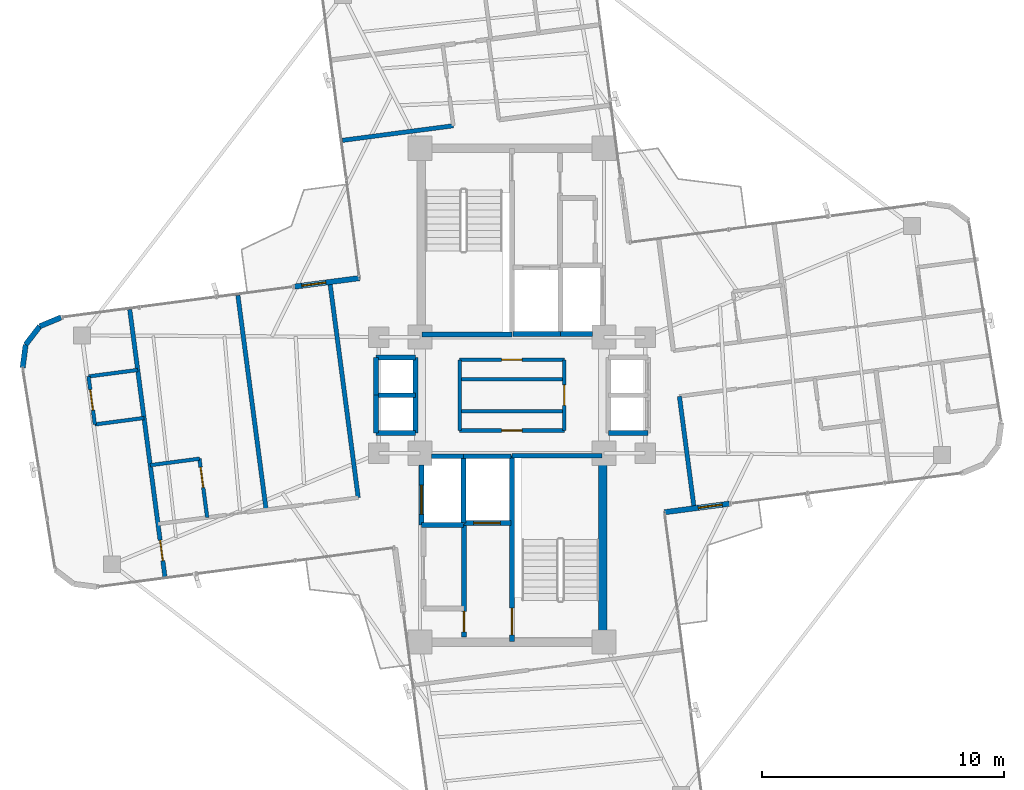
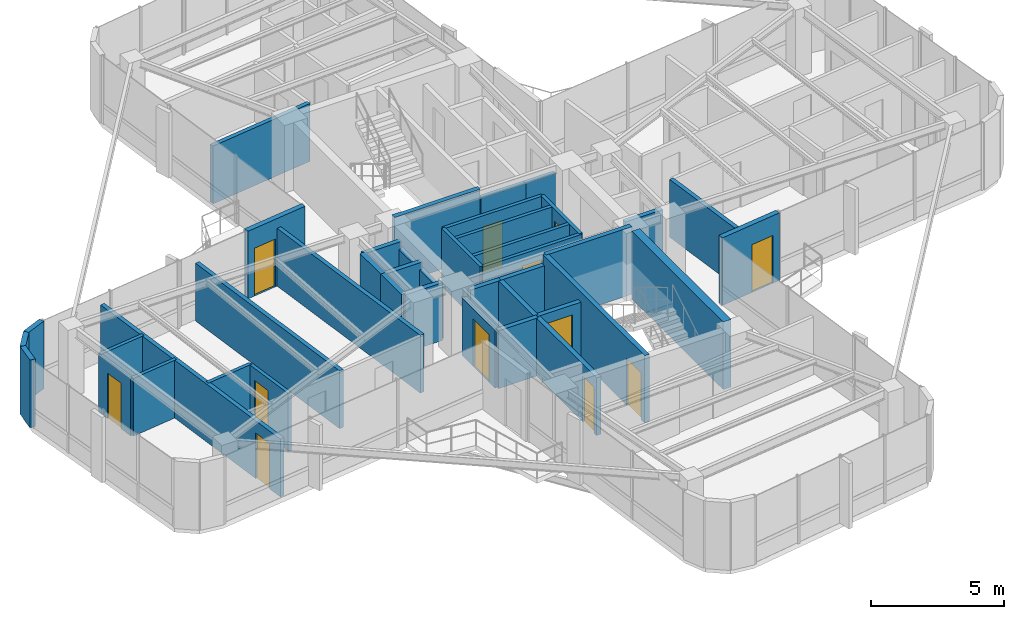
# One storey, part 19 of 22: 41 walls, 12 doors, 12 openings.
"""IFC4 building model written with IfcOpenShell, lengths in metres."""

from ifc_helpers import new_model, si_unit, direction, frame, frame_2d, origin, origin_2d, place, context, subcontext, project, spatial, rectangle, extrude, source, transform, mapped, material, layer, layer_set, type_object, element, fill, save


model = new_model("IFC4")

# Units and contexts
model_context = context("Model", 3, precision=1e-05, world=origin(), true_north=direction((0.0, 1.0)))
body_context = subcontext(model_context, "Body", "Model", "MODEL_VIEW")
ifc_project = project(units=[si_unit("LENGTHUNIT", "METRE"), si_unit("AREAUNIT", "SQUARE_METRE"), si_unit("VOLUMEUNIT", "CUBIC_METRE"), si_unit("PLANEANGLEUNIT", "RADIAN"), si_unit("MASSUNIT", "GRAM", prefix="KILO")], contexts=[model_context])

# Site, building, storey
site_placement = place(None, origin())
site = spatial("IfcSite", under=ifc_project, at=site_placement, CompositionType="ELEMENT")
building_placement = place(site_placement, origin())
building = spatial("IfcBuilding", under=site, at=building_placement, Name="Sahyath Konkavel Grand Hotel", CompositionType="ELEMENT")
storey_placement = place(building_placement, frame((0.0, 0.0, 244.5)))
storey = spatial("IfcBuildingStorey", under=building, at=storey_placement, Name="L68", CompositionType="ELEMENT", Elevation=244.5)

# Wall
ifc_material_1 = material(Name="Concrete C40/50", Category="concrete")
ifc_layer_1 = layer(ifc_material_1, 0.35009765625)
ifc_layer_set_1 = layer_set([ifc_layer_1], Name="Concrete C40/50")
wall_type_1 = type_object("IfcWallType", Name="CWALL-350", PredefinedType="SHEAR", material=ifc_layer_set_1)
wall_1_placement = place(storey_placement, frame((3.739990234375, -9.75, 0.0), z_axis=(0.0, 0.0, 1.0), x_axis=(0.0, 1.0, 0.0)))
element("IfcWall", 1, at=wall_1_placement, inside=storey, type_object=wall_type_1, Name="L68 South Core Shear Wall E", PredefinedType="SHEAR", context=body_context, shape_type="SweptSolid", body=[
    extrude(rectangle(XDim=6.89990234375, YDim=0.35009765625, at=frame_2d((3.449951171875, 0.0))), origin(), (0.0, 0.0, 1.0), 3.110107421875),
])

# Wall, opening, door
ifc_material_2 = material(Name="Warm Buff Sandstone Insulated Concrete C40/50", Category="masonry")
ifc_layer_2 = layer(ifc_material_2, 0.219970703125)
ifc_layer_set_2 = layer_set([ifc_layer_2], Name="Warm Buff Sandstone Insulated Concrete C40/50")
wall_type_2 = type_object("IfcWallType", Name="WLL-BALC-THRESH", PredefinedType="STANDARD", material=ifc_layer_set_2)
wall_2_placement = place(storey_placement, frame((6.302001953125, -4.835693359375, 0.0), z_axis=(0.0, 0.0, 1.0), x_axis=(0.991451525486, 0.130475563272, 0.0)))
wall_2 = element("IfcWall", 2, at=wall_2_placement, inside=storey, type_object=wall_type_2, Name="L68 Winter-Garden Threshold Wall 0", PredefinedType="STANDARD", context=body_context, shape_type="SweptSolid", body=[
    extrude(rectangle(XDim=2.7001953125, YDim=0.219970703125, at=frame_2d((1.35009765625, 0.0))), origin(), (0.0, 0.0, 1.0), 3.110107421875),
])
opening_1_placement = place(wall_2_placement, frame((1.39990234375, 0.0, 0.0)))
opening_1 = element("IfcOpeningElement", 3, at=opening_1_placement, cuts=wall_2, Name="Opening D-TR1", PredefinedType="OPENING", context=body_context, shape_type="SweptSolid", body=[
    extrude(rectangle(XDim=1.0, YDim=2.199951171875, at=frame_2d((0.5, 1.10009765625))), frame((0.0, 0.1201171875, 0.0), z_axis=(0.0, -1.0, 0.0), x_axis=(1.0, 0.0, 0.0)), (0.0, 0.0, 1.0), 0.239990234375),
])
ifc_material_3 = material(Name="Anodised Bronze Aluminium & Low-E Glazing", Category="aluminium")
door_type_1 = type_object("IfcDoorType", Name="DR-TERRACE-1000", OperationType="NOTDEFINED", PredefinedType="DOOR", material=ifc_material_3)
shared_shape_1 = source(origin(), body_context, "Body", "SweptSolid", [
    extrude(rectangle(XDim=1.0, YDim=0.050048828125, at=origin_2d()), origin(), (0.0, 0.0, 1.0), 2.199951171875),
])
door_1_placement = place(opening_1_placement, frame((0.5, 0.0, 0.0)))
door_1 = element("IfcDoor", 4, at=door_1_placement, inside=storey, type_object=door_type_1, Name="L68 Winter-Garden Terrace Door 0", OperationType="SINGLE_SWING_LEFT", OverallHeight=2.199951171875, OverallWidth=1.0, PredefinedType="DOOR", context=body_context, shape_type="MappedRepresentation", body=[
    mapped(shared_shape_1, transform((0.0, 0.0, 0.0), scale=1.0)),
])
fill(opening_1, door_1)

wall_3_placement = place(storey_placement, frame((-6.302001953125, 4.835693359375, 0.0), z_axis=(0.0, 0.0, 1.0), x_axis=(-0.991451525486, -0.130475563272, 0.0)))
wall_3 = element("IfcWall", 5, at=wall_3_placement, inside=storey, type_object=wall_type_2, Name="L68 Winter-Garden Threshold Wall 16", PredefinedType="STANDARD", context=body_context, shape_type="SweptSolid", body=[
    extrude(rectangle(XDim=2.7001953125, YDim=0.219970703125, at=frame_2d((1.35009765625, 0.0))), origin(), (0.0, 0.0, 1.0), 3.110107421875),
])
opening_2_placement = place(wall_3_placement, frame((1.39990234375, 0.0, 0.0)))
opening_2 = element("IfcOpeningElement", 6, at=opening_2_placement, cuts=wall_3, Name="Opening D-TR1", PredefinedType="OPENING", context=body_context, shape_type="SweptSolid", body=[
    extrude(rectangle(XDim=1.0, YDim=2.199951171875, at=frame_2d((0.5, 1.10009765625))), frame((0.0, 0.1201171875, 0.0), z_axis=(0.0, -1.0, 0.0), x_axis=(1.0, 0.0, 0.0)), (0.0, 0.0, 1.0), 0.239990234375),
])
door_2_placement = place(opening_2_placement, frame((0.5, 0.0, 0.0)))
door_2 = element("IfcDoor", 7, at=door_2_placement, inside=storey, type_object=door_type_1, Name="L68 Winter-Garden Terrace Door 16", OperationType="SINGLE_SWING_LEFT", OverallHeight=2.199951171875, OverallWidth=1.0, PredefinedType="DOOR", context=body_context, shape_type="MappedRepresentation", body=[
    mapped(shared_shape_1, transform((0.0, 0.0, 0.0), scale=1.0)),
])
fill(opening_2, door_2)

# Walls
for number, where, z_axis, x_axis, name in (
    (8, (-18.621826171875, 3.2138671875, 0.0), (0.0, 0.0, 1.0), (-0.923889442397, -0.382659506909, 0.0), "L68 Rounded Corner Sandstone Pier 17"),
    (9, (-19.506591796875, 2.847412109375, 0.0), (0.0, 0.0, 1.0), (-0.608774010809, -0.793343685778, 0.0), "L68 Rounded Corner Sandstone Pier 18"),
    (10, (-20.089599609375, 2.087646484375, 0.0), (0.0, 0.0, 1.0), (-0.130527053476, -0.991444747987, 0.0), "L68 Rounded Corner Sandstone Pier 19"),
):
    element("IfcWall", number, at=place(storey_placement, frame(where, z_axis=z_axis, x_axis=x_axis)), inside=storey, type_object=wall_type_2, Name=name, PredefinedType="STANDARD", context=body_context, shape_type="SweptSolid", body=[
        extrude(rectangle(XDim=0.957763671875, YDim=0.219970703125, at=frame_2d((0.47900390625, 0.0))), origin(), (0.0, 0.0, 1.0), 3.110107421875),
    ])
ifc_layer_3 = layer(ifc_material_1, 0.199951171875)
ifc_layer_set_3 = layer_set([ifc_layer_3], Name="Concrete C40/50")
wall_type_3 = type_object("IfcWallType", Name="WLL-CORE-200", PredefinedType="SOLIDWALL", material=ifc_layer_set_3)
wall_4_placement = place(storey_placement, frame((-3.719970703125, 2.5, 0.0), z_axis=(0.0, 0.0, 1.0), x_axis=(1.0, 0.0, 0.0)))
element("IfcWall", 11, at=wall_4_placement, inside=storey, type_object=wall_type_3, Name="L68 Stair ST-1 Shaft Wall S", PredefinedType="SOLIDWALL", context=body_context, shape_type="SweptSolid", body=[
    extrude(rectangle(XDim=3.719970703125, YDim=0.199951171875, at=frame_2d((1.85986328125, 0.0))), origin(), (0.0, 0.0, 1.0), 3.110107421875),
])

# Wall, opening, door
wall_5_placement = place(storey_placement, frame((0.0, -10.179931640625, 0.0), z_axis=(0.0, 0.0, 1.0), x_axis=(0.0, 1.0, 0.0)))
wall_5 = element("IfcWall", 12, at=wall_5_placement, inside=storey, type_object=wall_type_3, Name="L68 Stair ST-2 Shaft Wall W", PredefinedType="SOLIDWALL", context=body_context, shape_type="SweptSolid", body=[
    extrude(rectangle(XDim=7.679931640625, YDim=0.199951171875, at=frame_2d((3.83984375, 0.0))), origin(), (0.0, 0.0, 1.0), 3.110107421875),
])
opening_3_placement = place(wall_5_placement, frame((0.280029296875, 0.0, 0.0)))
opening_3 = element("IfcOpeningElement", 13, at=opening_3_placement, cuts=wall_5, Name="Opening D-F12B", PredefinedType="OPENING", context=body_context, shape_type="SweptSolid", body=[
    extrude(rectangle(XDim=1.10009765625, YDim=2.14990234375, at=frame_2d((0.550048828125, 1.074951171875))), frame((0.0, 0.10986328125, 0.0), z_axis=(0.0, -1.0, 0.0), x_axis=(1.0, 0.0, 0.0)), (0.0, 0.0, 1.0), 0.219970703125),
])
ifc_material_4 = material(Name="Steel E350 Smokeproof Fire Door", Category="steel")
door_type_2 = type_object("IfcDoorType", Name="DR-FD120-1100", OperationType="NOTDEFINED", PredefinedType="DOOR", material=ifc_material_4)
shared_shape_2 = source(origin(), body_context, "Body", "SweptSolid", [
    extrude(rectangle(XDim=1.10009765625, YDim=0.050048828125, at=origin_2d()), origin(), (0.0, 0.0, 1.0), 2.14990234375),
])
door_3_placement = place(opening_3_placement, frame((0.550048828125, 0.0, 0.0)))
door_3 = element("IfcDoor", 14, at=door_3_placement, inside=storey, type_object=door_type_2, Name="L68 Stair ST-2 Fire Door", OperationType="SINGLE_SWING_LEFT", OverallHeight=2.14990234375, OverallWidth=1.10009765625, PredefinedType="DOOR", context=body_context, shape_type="MappedRepresentation", body=[
    mapped(shared_shape_2, transform((0.0, 0.0, 0.0), scale=1.0)),
])
fill(opening_3, door_3)

# Wall
wall_6_placement = place(storey_placement, frame((0.0, -2.5, 0.0), z_axis=(0.0, 0.0, 1.0), x_axis=(1.0, 0.0, 0.0)))
element("IfcWall", 15, at=wall_6_placement, inside=storey, type_object=wall_type_3, Name="L68 Stair ST-2 Shaft Wall N", PredefinedType="SOLIDWALL", context=body_context, shape_type="SweptSolid", body=[
    extrude(rectangle(XDim=3.719970703125, YDim=0.199951171875, at=frame_2d((1.85986328125, 0.0))), origin(), (0.0, 0.0, 1.0), 3.110107421875),
])

# Wall, opening, door
wall_7_placement = place(storey_placement, frame((-1.97998046875, -9.97998046875, 0.0), z_axis=(0.0, 0.0, 1.0), x_axis=(0.0, 1.0, 0.0)))
wall_7 = element("IfcWall", 16, at=wall_7_placement, inside=storey, type_object=wall_type_3, Name="L68 South Firefighting Lobby Wall W", PredefinedType="SOLIDWALL", context=body_context, shape_type="SweptSolid", body=[
    extrude(rectangle(XDim=4.659912109375, YDim=0.199951171875, at=frame_2d((2.330078125, 0.0))), origin(), (0.0, 0.0, 1.0), 2.659912109375),
])
opening_4_placement = place(wall_7_placement, frame((0.199951171875, 0.0, 0.0)))
opening_4 = element("IfcOpeningElement", 17, at=opening_4_placement, cuts=wall_7, Name="Opening D-F12D", PredefinedType="OPENING", context=body_context, shape_type="SweptSolid", body=[
    extrude(rectangle(XDim=0.85009765625, YDim=2.10009765625, at=frame_2d((0.425048828125, 1.050048828125))), frame((0.0, 0.10986328125, 0.0), z_axis=(0.0, -1.0, 0.0), x_axis=(1.0, 0.0, 0.0)), (0.0, 0.0, 1.0), 0.219970703125),
])
ifc_material_5 = material(Name="Steel E350 Core Fire Door", Category="steel")
door_type_3 = type_object("IfcDoorType", Name="DR-FD120-850", OperationType="NOTDEFINED", PredefinedType="DOOR", material=ifc_material_5)
shared_shape_3 = source(origin(), body_context, "Body", "SweptSolid", [
    extrude(rectangle(XDim=0.85009765625, YDim=0.050048828125, at=origin_2d()), origin(), (0.0, 0.0, 1.0), 2.10009765625),
])
door_4_placement = place(opening_4_placement, frame((0.425048828125, 0.0, 0.0)))
door_4 = element("IfcDoor", 18, at=door_4_placement, inside=storey, type_object=door_type_3, Name="L68 South Firefighting Lobby Door", OperationType="SINGLE_SWING_LEFT", OverallHeight=2.10009765625, OverallWidth=0.85009765625, PredefinedType="DOOR", context=body_context, shape_type="MappedRepresentation", body=[
    mapped(shared_shape_3, transform((0.0, 0.0, 0.0), scale=1.0)),
])
fill(opening_4, door_4)

# Walls
wall_8_placement = place(storey_placement, frame((0.050048828125, 2.52001953125, 0.0), z_axis=(0.0, 0.0, 1.0), x_axis=(1.0, 0.0, 0.0)))
element("IfcWall", 19, at=wall_8_placement, inside=storey, type_object=wall_type_3, Name="L68 Partition SH-FFL1-S", PredefinedType="SOLIDWALL", context=body_context, shape_type="SweptSolid", body=[
    extrude(rectangle(XDim=1.949951171875, YDim=0.199951171875, at=frame_2d((0.97509765625, 0.0))), origin(), (0.0, 0.0, 1.0), 2.659912109375),
])
wall_9_placement = place(storey_placement, frame((-2.0, -5.280029296875, 0.0), z_axis=(0.0, 0.0, 1.0), x_axis=(0.0, 1.0, 0.0)))
element("IfcWall", 20, at=wall_9_placement, inside=storey, type_object=wall_type_3, Name="L68 Partition SH-FFL2-W", PredefinedType="SOLIDWALL", context=body_context, shape_type="SweptSolid", body=[
    extrude(rectangle(XDim=2.780029296875, YDim=0.199951171875, at=frame_2d((1.39013671875, 0.0))), origin(), (0.0, 0.0, 1.0), 2.659912109375),
])
wall_10_placement = place(storey_placement, frame((-2.0, -2.52001953125, 0.0), z_axis=(0.0, 0.0, 1.0), x_axis=(1.0, 0.0, 0.0)))
element("IfcWall", 21, at=wall_10_placement, inside=storey, type_object=wall_type_3, Name="L68 Partition SH-FFL2-N", PredefinedType="SOLIDWALL", context=body_context, shape_type="SweptSolid", body=[
    extrude(rectangle(XDim=1.949951171875, YDim=0.199951171875, at=frame_2d((0.97509765625, 0.0))), origin(), (0.0, 0.0, 1.0), 2.659912109375),
])

# Wall, opening, door
wall_11_placement = place(storey_placement, frame((-1.97998046875, -5.280029296875, 0.0), z_axis=(0.0, 0.0, 1.0), x_axis=(1.0, 0.0, 0.0)))
wall_11 = element("IfcWall", 22, at=wall_11_placement, inside=storey, type_object=wall_type_3, Name="L68 Partition SH-FFL2-S", PredefinedType="SOLIDWALL", context=body_context, shape_type="SweptSolid", body=[
    extrude(rectangle(XDim=1.929931640625, YDim=0.199951171875, at=frame_2d((0.96484375, 0.0))), origin(), (0.0, 0.0, 1.0), 2.659912109375),
])
opening_5_placement = place(wall_11_placement, frame((0.39990234375, 0.0, 0.0)))
opening_5 = element("IfcOpeningElement", 23, at=opening_5_placement, cuts=wall_11, Name="Opening LD-11", PredefinedType="OPENING", context=body_context, shape_type="SweptSolid", body=[
    extrude(rectangle(XDim=1.10009765625, YDim=2.199951171875, at=frame_2d((0.550048828125, 1.10009765625))), frame((0.0, 0.10986328125, 0.0), z_axis=(0.0, -1.0, 0.0), x_axis=(1.0, 0.0, 0.0)), (0.0, 0.0, 1.0), 0.219970703125),
])
ifc_material_6 = material(Name="Bronze Lift Landing Door 1100")
door_type_4 = type_object("IfcDoorType", Name="DR-LIFT-1100", OperationType="DOUBLE_DOOR_SLIDING", PredefinedType="DOOR", material=ifc_material_6)
shared_shape_4 = source(origin(), body_context, "Body", "SweptSolid", [
    extrude(rectangle(XDim=1.10009765625, YDim=0.050048828125, at=origin_2d()), origin(), (0.0, 0.0, 1.0), 2.199951171875),
])
door_5_placement = place(opening_5_placement, frame((0.550048828125, 0.0, 0.0)))
door_5 = element("IfcDoor", 24, at=door_5_placement, inside=storey, type_object=door_type_4, Name="L68 Lift FFL-2 Landing Door", OperationType="DOUBLE_DOOR_SLIDING", OverallHeight=2.199951171875, OverallWidth=1.10009765625, PredefinedType="DOOR", context=body_context, shape_type="MappedRepresentation", body=[
    mapped(shared_shape_4, transform((0.0, 0.0, 0.0), scale=1.0)),
])
fill(opening_5, door_5)

# Walls
for number, where, z_axis, x_axis, name in (
    (25, (2.0, 2.52001953125, 0.0), (0.0, 0.0, 1.0), (1.0, 0.0, 0.0), "L68 Partition SH-SVL1-S"),
    (26, (-3.320068359375, -2.52001953125, 0.0), (0.0, 0.0, 1.0), (1.0, 0.0, 0.0), "L68 Partition SH-SVL2-N"),
):
    element("IfcWall", number, at=place(storey_placement, frame(where, z_axis=z_axis, x_axis=x_axis)), inside=storey, type_object=wall_type_3, Name=name, PredefinedType="SOLIDWALL", context=body_context, shape_type="SweptSolid", body=[
        extrude(rectangle(XDim=1.320068359375, YDim=0.199951171875, at=frame_2d((0.66015625, 0.0))), origin(), (0.0, 0.0, 1.0), 2.659912109375),
    ])
wall_12_placement = place(storey_placement, frame((-3.739990234375, -5.360107421875, 0.0), z_axis=(0.0, 0.0, 1.0), x_axis=(1.0, 0.0, 0.0)))
element("IfcWall", 27, at=wall_12_placement, inside=storey, type_object=wall_type_3, Name="L68 Partition SH-SVL2-S", PredefinedType="SOLIDWALL", context=body_context, shape_type="SweptSolid", body=[
    extrude(rectangle(XDim=1.739990234375, YDim=0.199951171875, at=frame_2d((0.8701171875, 0.0))), origin(), (0.0, 0.0, 1.0), 2.659912109375),
])

# Wall, opening, door
wall_13_placement = place(storey_placement, frame((-3.739990234375, -5.360107421875, 0.0), z_axis=(0.0, 0.0, 1.0), x_axis=(0.0, 1.0, 0.0)))
wall_13 = element("IfcWall", 28, at=wall_13_placement, inside=storey, type_object=wall_type_3, Name="L68 Partition SH-SVL2-W", PredefinedType="SOLIDWALL", context=body_context, shape_type="SweptSolid", body=[
    extrude(rectangle(XDim=2.480224609375, YDim=0.199951171875, at=frame_2d((1.240234375, 0.0))), origin(), (0.0, 0.0, 1.0), 2.659912109375),
])
opening_6_placement = place(wall_13_placement, frame((0.43994140625, 0.0, 0.0)))
opening_6 = element("IfcOpeningElement", 29, at=opening_6_placement, cuts=wall_13, Name="Opening LD-12", PredefinedType="OPENING", context=body_context, shape_type="SweptSolid", body=[
    extrude(rectangle(XDim=1.199951171875, YDim=2.199951171875, at=frame_2d((0.60009765625, 1.10009765625))), frame((0.0, 0.10986328125, 0.0), z_axis=(0.0, -1.0, 0.0), x_axis=(1.0, 0.0, 0.0)), (0.0, 0.0, 1.0), 0.219970703125),
])
ifc_material_7 = material(Name="Stainless Steel Lift Landing Door 1200", Category="steel")
door_type_5 = type_object("IfcDoorType", Name="DR-LIFT-1200", OperationType="DOUBLE_DOOR_SLIDING", PredefinedType="DOOR", material=ifc_material_7)
shared_shape_5 = source(origin(), body_context, "Body", "SweptSolid", [
    extrude(rectangle(XDim=1.199951171875, YDim=0.050048828125, at=origin_2d()), origin(), (0.0, 0.0, 1.0), 2.199951171875),
])
door_6_placement = place(opening_6_placement, frame((0.60009765625, 0.0, 0.0)))
door_6 = element("IfcDoor", 30, at=door_6_placement, inside=storey, type_object=door_type_5, Name="L68 Service Lift SVL-2 Landing Door", OperationType="DOUBLE_DOOR_SLIDING", OverallHeight=2.199951171875, OverallWidth=1.199951171875, PredefinedType="DOOR", context=body_context, shape_type="MappedRepresentation", body=[
    mapped(shared_shape_5, transform((0.0, 0.0, 0.0), scale=1.0)),
])
fill(opening_6, door_6)

# Walls
wall_14_placement = place(storey_placement, frame((3.97998046875, -1.56005859375, 0.0), z_axis=(0.0, 0.0, 1.0), x_axis=(1.0, 0.0, 0.0)))
element("IfcWall", 31, at=wall_14_placement, inside=storey, type_object=wall_type_3, Name="L68 Partition SH-PL56-S", PredefinedType="SOLIDWALL", context=body_context, shape_type="SweptSolid", body=[
    extrude(rectangle(XDim=1.64013671875, YDim=0.199951171875, at=frame_2d((0.820068359375, 0.0))), origin(), (0.0, 0.0, 1.0), 2.659912109375),
])
wall_15_placement = place(storey_placement, frame((-3.97998046875, -1.56005859375, 0.0), z_axis=(0.0, 0.0, 1.0), x_axis=(0.0, 1.0, 0.0)))
element("IfcWall", 32, at=wall_15_placement, inside=storey, type_object=wall_type_3, Name="L68 Partition SH-SL12-E", PredefinedType="SOLIDWALL", context=body_context, shape_type="SweptSolid", body=[
    extrude(rectangle(XDim=3.1201171875, YDim=0.199951171875, at=frame_2d((1.56005859375, 0.0))), origin(), (0.0, 0.0, 1.0), 2.330078125),
])
for number, where, z_axis, x_axis, name in (
    (33, (-5.6201171875, 1.56005859375, 0.0), (0.0, 0.0, 1.0), (1.0, 0.0, 0.0), "L68 Partition SH-SL12-N"),
    (34, (-5.6201171875, -1.56005859375, 0.0), (0.0, 0.0, 1.0), (1.0, 0.0, 0.0), "L68 Partition SH-SL12-S"),
    (35, (-5.6201171875, 0.0, 0.0), (0.0, 0.0, 1.0), (1.0, 0.0, 0.0), "L68 Partition SH-SL12-M"),
):
    element("IfcWall", number, at=place(storey_placement, frame(where, z_axis=z_axis, x_axis=x_axis)), inside=storey, type_object=wall_type_3, Name=name, PredefinedType="SOLIDWALL", context=body_context, shape_type="SweptSolid", body=[
        extrude(rectangle(XDim=1.64013671875, YDim=0.199951171875, at=frame_2d((0.820068359375, 0.0))), origin(), (0.0, 0.0, 1.0), 2.659912109375),
    ])
for number, where, z_axis, x_axis, name in (
    (36, (-5.6201171875, 0.0, 0.0), (0.0, 0.0, 1.0), (0.0, 1.0, 0.0), "L68 Partition SH-SL1-W"),
    (37, (-5.6201171875, -1.56005859375, 0.0), (0.0, 0.0, 1.0), (0.0, 1.0, 0.0), "L68 Partition SH-SL2-W"),
):
    element("IfcWall", number, at=place(storey_placement, frame(where, z_axis=z_axis, x_axis=x_axis)), inside=storey, type_object=wall_type_3, Name=name, PredefinedType="SOLIDWALL", context=body_context, shape_type="SweptSolid", body=[
        extrude(rectangle(XDim=1.56005859375, YDim=0.199951171875, at=frame_2d((0.780029296875, 0.0))), origin(), (0.0, 0.0, 1.0), 2.659912109375),
    ])
ifc_material_8 = material(Name="Twin-Stud Acoustic Gypsum Plasterboard Partition")
ifc_layer_4 = layer(ifc_material_8, 0.179931640625)
ifc_layer_set_4 = layer_set([ifc_layer_4], Name="Twin-Stud Acoustic Gypsum Plasterboard Partition")
wall_type_4 = type_object("IfcWallType", Name="WLL-DEMISE-180", PredefinedType="PARTITIONING", material=ifc_layer_set_4)
for number, where, z_axis, x_axis, name in (
    (38, (7.51806640625, -4.625244140625, 0.0), (0.0, 0.0, 1.0), (-0.130559839157, 0.99144043109, 0.0), "L68 Partition E-INR"),
    (39, (-2.42333984375, 11.12890625, 0.0), (0.0, 0.0, 1.0), (-0.991447274637, -0.130507860355, 0.0), "L68 Partition N-INL"),
):
    element("IfcWall", number, at=place(storey_placement, frame(where, z_axis=z_axis, x_axis=x_axis)), inside=storey, type_object=wall_type_4, Name=name, PredefinedType="PARTITIONING", context=body_context, shape_type="SweptSolid", body=[
        extrude(rectangle(XDim=4.616943359375, YDim=0.179931640625, at=frame_2d((2.30859375, 0.0))), origin(), (0.0, 0.0, 1.0), 2.659912109375),
    ])
for number, where, z_axis, x_axis, name in (
    (40, (-7.51806640625, 4.625244140625, 0.0), (0.0, 0.0, 1.0), (0.130540045477, -0.991443037459, 0.0), "L68 Partition W-G5I"),
    (41, (-10.156982421875, -4.7333984375, 0.0), (0.0, 0.0, 1.0), (-0.130540045477, 0.991443037459, 0.0), "L68 Partition W-WD1-DEM"),
):
    element("IfcWall", number, at=place(storey_placement, frame(where, z_axis=z_axis, x_axis=x_axis)), inside=storey, type_object=wall_type_4, Name=name, PredefinedType="PARTITIONING", context=body_context, shape_type="SweptSolid", body=[
        extrude(rectangle(XDim=8.93408203125, YDim=0.179931640625, at=frame_2d((4.467041015625, 0.0))), origin(), (0.0, 0.0, 1.0), 2.659912109375),
    ])

# Wall, opening, door
wall_16_placement = place(storey_placement, frame((-15.789794921875, 3.536376953125, 0.0), z_axis=(0.0, 0.0, 1.0), x_axis=(0.130533354992, -0.991443918351, 0.0)))
wall_16 = element("IfcWall", 42, at=wall_16_placement, inside=storey, type_object=wall_type_4, Name="L68 Partition W-WTIP-END", PredefinedType="PARTITIONING", context=body_context, shape_type="SweptSolid", body=[
    extrude(rectangle(XDim=11.134033203125, YDim=0.179931640625, at=frame_2d((5.56689453125, 0.0))), origin(), (0.0, 0.0, 1.0), 2.659912109375),
])
opening_7_placement = place(wall_16_placement, frame((9.60888671875, 0.0, 0.0)))
opening_7 = element("IfcOpeningElement", 43, at=opening_7_placement, cuts=wall_16, Name="Opening D-F06D", PredefinedType="OPENING", context=body_context, shape_type="SweptSolid", body=[
    extrude(rectangle(XDim=0.85009765625, YDim=2.10009765625, at=frame_2d((0.425048828125, 1.050048828125))), frame((0.0, 0.10009765625, 0.0), z_axis=(0.0, -1.0, 0.0), x_axis=(1.0, 0.0, 0.0)), (0.0, 0.0, 1.0), 0.199951171875),
])
ifc_material_9 = material(Name="Fire-Rated Shaft Access Door")
door_type_6 = type_object("IfcDoorType", Name="DR-FD60-850", OperationType="NOTDEFINED", PredefinedType="DOOR", material=ifc_material_9)
door_7_placement = place(opening_7_placement, frame((0.425048828125, 0.0, 0.0)))
door_7 = element("IfcDoor", 44, at=door_7_placement, inside=storey, type_object=door_type_6, Name="L68 Door W-WTIP-ED", OperationType="SINGLE_SWING_LEFT", OverallHeight=2.10009765625, OverallWidth=0.85009765625, PredefinedType="DOOR", context=body_context, shape_type="MappedRepresentation", body=[
    mapped(shared_shape_3, transform((0.0, 0.0, 0.0), scale=1.0)),
])
fill(opening_7, door_7)

ifc_material_10 = material(Name="Fire-Rated Gypsum Plasterboard Partition")
ifc_layer_5 = layer(ifc_material_10, 0.14990234375)
ifc_layer_set_5 = layer_set([ifc_layer_5], Name="Fire-Rated Gypsum Plasterboard Partition")
wall_type_5 = type_object("IfcWallType", Name="WLL-PART-150", PredefinedType="PARTITIONING", material=ifc_layer_set_5)
wall_17_placement = place(storey_placement, frame((2.159912109375, -1.4599609375, 0.0), z_axis=(0.0, 0.0, 1.0), x_axis=(0.0, 1.0, 0.0)))
wall_17 = element("IfcWall", 45, at=wall_17_placement, inside=storey, type_object=wall_type_5, Name="L68 Partition CC-2E", PredefinedType="PARTITIONING", context=body_context, shape_type="SweptSolid", body=[
    extrude(rectangle(XDim=2.919921875, YDim=0.14990234375, at=frame_2d((1.4599609375, 0.0))), origin(), (0.0, 0.0, 1.0), 2.659912109375),
])
opening_8_placement = place(wall_17_placement, frame((1.034912109375, 0.0, 0.0)))
opening_8 = element("IfcOpeningElement", 46, at=opening_8_placement, cuts=wall_17, Name="Opening D-F06D", PredefinedType="OPENING", context=body_context, shape_type="SweptSolid", body=[
    extrude(rectangle(XDim=0.85009765625, YDim=2.10009765625, at=frame_2d((0.425048828125, 1.050048828125))), frame((0.0, 0.0849609375, 0.0), z_axis=(0.0, -1.0, 0.0), x_axis=(1.0, 0.0, 0.0)), (0.0, 0.0, 1.0), 0.169921875),
])
door_8_placement = place(opening_8_placement, frame((0.425048828125, 0.0, 0.0)))
door_8 = element("IfcDoor", 47, at=door_8_placement, inside=storey, type_object=door_type_6, Name="L68 Door CC-D2B", OperationType="SINGLE_SWING_LEFT", OverallHeight=2.10009765625, OverallWidth=0.85009765625, PredefinedType="DOOR", context=body_context, shape_type="MappedRepresentation", body=[
    mapped(shared_shape_3, transform((0.0, 0.0, 0.0), scale=1.0)),
])
fill(opening_8, door_8)

# Wall
wall_18_placement = place(storey_placement, frame((-2.159912109375, -1.4599609375, 0.0), z_axis=(0.0, 0.0, 1.0), x_axis=(0.0, 1.0, 0.0)))
element("IfcWall", 48, at=wall_18_placement, inside=storey, type_object=wall_type_5, Name="L68 Partition CC-2W", PredefinedType="PARTITIONING", context=body_context, shape_type="SweptSolid", body=[
    extrude(rectangle(XDim=2.919921875, YDim=0.14990234375, at=frame_2d((1.4599609375, 0.0))), origin(), (0.0, 0.0, 1.0), 2.659912109375),
])

# Wall, opening, door
wall_19_placement = place(storey_placement, frame((-2.159912109375, 1.4599609375, 0.0), z_axis=(0.0, 0.0, 1.0), x_axis=(1.0, 0.0, 0.0)))
wall_19 = element("IfcWall", 49, at=wall_19_placement, inside=storey, type_object=wall_type_5, Name="L68 Partition CC-2N", PredefinedType="PARTITIONING", context=body_context, shape_type="SweptSolid", body=[
    extrude(rectangle(XDim=4.31982421875, YDim=0.14990234375, at=frame_2d((2.159912109375, 0.0))), origin(), (0.0, 0.0, 1.0), 2.659912109375),
])
opening_9_placement = place(wall_19_placement, frame((1.72998046875, 0.0, 0.0)))
opening_9 = element("IfcOpeningElement", 50, at=opening_9_placement, cuts=wall_19, Name="Opening D-F06D", PredefinedType="OPENING", context=body_context, shape_type="SweptSolid", body=[
    extrude(rectangle(XDim=0.85009765625, YDim=2.10009765625, at=frame_2d((0.425048828125, 1.050048828125))), frame((0.0, 0.0849609375, 0.0), z_axis=(0.0, -1.0, 0.0), x_axis=(1.0, 0.0, 0.0)), (0.0, 0.0, 1.0), 0.169921875),
])
door_9_placement = place(opening_9_placement, frame((0.425048828125, 0.0, 0.0)))
door_9 = element("IfcDoor", 51, at=door_9_placement, inside=storey, type_object=door_type_6, Name="L68 Door CC-D2A", OperationType="SINGLE_SWING_RIGHT", OverallHeight=2.10009765625, OverallWidth=0.85009765625, PredefinedType="DOOR", context=body_context, shape_type="MappedRepresentation", body=[
    mapped(shared_shape_3, transform((0.0, 0.0, 0.0), scale=1.0)),
])
fill(opening_9, door_9)

wall_20_placement = place(storey_placement, frame((-2.159912109375, -1.4599609375, 0.0), z_axis=(0.0, 0.0, 1.0), x_axis=(1.0, 0.0, 0.0)))
wall_20 = element("IfcWall", 52, at=wall_20_placement, inside=storey, type_object=wall_type_5, Name="L68 Partition CC-2S", PredefinedType="PARTITIONING", context=body_context, shape_type="SweptSolid", body=[
    extrude(rectangle(XDim=4.31982421875, YDim=0.14990234375, at=frame_2d((2.159912109375, 0.0))), origin(), (0.0, 0.0, 1.0), 2.659912109375),
])
opening_10_placement = place(wall_20_placement, frame((1.72998046875, 0.0, 0.0)))
opening_10 = element("IfcOpeningElement", 53, at=opening_10_placement, cuts=wall_20, Name="Opening D-F06D", PredefinedType="OPENING", context=body_context, shape_type="SweptSolid", body=[
    extrude(rectangle(XDim=0.85009765625, YDim=2.10009765625, at=frame_2d((0.425048828125, 1.050048828125))), frame((0.0, 0.0849609375, 0.0), z_axis=(0.0, -1.0, 0.0), x_axis=(1.0, 0.0, 0.0)), (0.0, 0.0, 1.0), 0.169921875),
])
door_10_placement = place(opening_10_placement, frame((0.425048828125, 0.0, 0.0)))
door_10 = element("IfcDoor", 54, at=door_10_placement, inside=storey, type_object=door_type_6, Name="L68 Door CC-D2C", OperationType="SINGLE_SWING_RIGHT", OverallHeight=2.10009765625, OverallWidth=0.85009765625, PredefinedType="DOOR", context=body_context, shape_type="MappedRepresentation", body=[
    mapped(shared_shape_3, transform((0.0, 0.0, 0.0), scale=1.0)),
])
fill(opening_10, door_10)

# Walls
for number, where, z_axis, x_axis, name in (
    (55, (-2.159912109375, 0.659912109375, 0.0), (0.0, 0.0, 1.0), (1.0, 0.0, 0.0), "L68 Partition CC-2M1"),
    (56, (-2.159912109375, -0.659912109375, 0.0), (0.0, 0.0, 1.0), (1.0, 0.0, 0.0), "L68 Partition CC-2M2"),
):
    element("IfcWall", number, at=place(storey_placement, frame(where, z_axis=z_axis, x_axis=x_axis)), inside=storey, type_object=wall_type_5, Name=name, PredefinedType="PARTITIONING", context=body_context, shape_type="SweptSolid", body=[
        extrude(rectangle(XDim=4.31982421875, YDim=0.14990234375, at=frame_2d((2.159912109375, 0.0))), origin(), (0.0, 0.0, 1.0), 2.659912109375),
    ])

# Wall, opening, door
wall_21_placement = place(storey_placement, frame((-12.591064453125, -5.0537109375, 0.0), z_axis=(0.0, 0.0, 1.0), x_axis=(-0.130544735166, 0.991442419972, 0.0)))
wall_21 = element("IfcWall", 57, at=wall_21_placement, inside=storey, type_object=wall_type_5, Name="L68 Partition W-WD2-BS", PredefinedType="PARTITIONING", context=body_context, shape_type="SweptSolid", body=[
    extrude(rectangle(XDim=2.449951171875, YDim=0.14990234375, at=frame_2d((1.22509765625, 0.0))), origin(), (0.0, 0.0, 1.0), 2.659912109375),
])
opening_11_placement = place(wall_21_placement, frame((1.25, 0.0, 0.0)))
opening_11 = element("IfcOpeningElement", 58, at=opening_11_placement, cuts=wall_21, Name="Opening D-BT85", PredefinedType="OPENING", context=body_context, shape_type="SweptSolid", body=[
    extrude(rectangle(XDim=0.85009765625, YDim=2.10009765625, at=frame_2d((0.425048828125, 1.050048828125))), frame((0.0, 0.0849609375, 0.0), z_axis=(0.0, -1.0, 0.0), x_axis=(1.0, 0.0, 0.0)), (0.0, 0.0, 1.0), 0.169921875),
])
ifc_material_11 = material(Name="Moisture-Resistant Teak Bathroom Door")
door_type_7 = type_object("IfcDoorType", Name="DR-BATH-850", OperationType="NOTDEFINED", PredefinedType="DOOR", material=ifc_material_11)
door_11_placement = place(opening_11_placement, frame((0.425048828125, 0.0, 0.0)))
door_11 = element("IfcDoor", 59, at=door_11_placement, inside=storey, type_object=door_type_7, Name="L68 Door W-WD2-BD", OperationType="SINGLE_SWING_RIGHT", OverallHeight=2.10009765625, OverallWidth=0.85009765625, PredefinedType="DOOR", context=body_context, shape_type="MappedRepresentation", body=[
    mapped(shared_shape_3, transform((0.0, 0.0, 0.0), scale=1.0)),
])
fill(opening_11, door_11)

# Walls
wall_22_placement = place(storey_placement, frame((-12.910888671875, -2.624755859375, 0.0), z_axis=(0.0, 0.0, 1.0), x_axis=(-0.991460374844, -0.130408301556, 0.0)))
element("IfcWall", 60, at=wall_22_placement, inside=storey, type_object=wall_type_5, Name="L68 Partition W-WD2-BF", PredefinedType="PARTITIONING", context=body_context, shape_type="SweptSolid", body=[
    extrude(rectangle(XDim=2.050048828125, YDim=0.14990234375, at=frame_2d((1.02490234375, 0.0))), origin(), (0.0, 0.0, 1.0), 2.659912109375),
])
wall_23_placement = place(storey_placement, frame((-15.2001953125, -0.942138671875, 0.0), z_axis=(0.0, 0.0, 1.0), x_axis=(-0.991442940586, -0.130540781221, 0.0)))
element("IfcWall", 61, at=wall_23_placement, inside=storey, type_object=wall_type_5, Name="L68 Partition W-WTIP-BN", PredefinedType="PARTITIONING", context=body_context, shape_type="SweptSolid", body=[
    extrude(rectangle(XDim=2.0498046875, YDim=0.14990234375, at=frame_2d((1.02490234375, 0.0))), origin(), (0.0, 0.0, 1.0), 2.659912109375),
])
wall_24_placement = place(storey_placement, frame((-15.461181640625, 1.040771484375, 0.0), z_axis=(0.0, 0.0, 1.0), x_axis=(-0.991444969909, -0.13052536781, 0.0)))
element("IfcWall", 62, at=wall_24_placement, inside=storey, type_object=wall_type_5, Name="L68 Partition W-WTIP-BS", PredefinedType="PARTITIONING", context=body_context, shape_type="SweptSolid", body=[
    extrude(rectangle(XDim=2.050048828125, YDim=0.14990234375, at=frame_2d((1.02490234375, 0.0))), origin(), (0.0, 0.0, 1.0), 2.659912109375),
])

# Wall, opening, door
wall_25_placement = place(storey_placement, frame((-17.49365234375, 0.773193359375, 0.0), z_axis=(0.0, 0.0, 1.0), x_axis=(0.130612392842, -0.991433509034, 0.0)))
wall_25 = element("IfcWall", 63, at=wall_25_placement, inside=storey, type_object=wall_type_5, Name="L68 Partition W-WTIP-BE", PredefinedType="PARTITIONING", context=body_context, shape_type="SweptSolid", body=[
    extrude(rectangle(XDim=2.0, YDim=0.14990234375, at=frame_2d((1.0, 0.0))), origin(), (0.0, 0.0, 1.0), 2.6298828125),
])
opening_12_placement = place(wall_25_placement, frame((0.550048828125, 0.0, 0.0)))
opening_12 = element("IfcOpeningElement", 64, at=opening_12_placement, cuts=wall_25, Name="Opening D-BT85", PredefinedType="OPENING", context=body_context, shape_type="SweptSolid", body=[
    extrude(rectangle(XDim=0.85009765625, YDim=2.10009765625, at=frame_2d((0.425048828125, 1.050048828125))), frame((0.0, 0.0849609375, 0.0), z_axis=(0.0, -1.0, 0.0), x_axis=(1.0, 0.0, 0.0)), (0.0, 0.0, 1.0), 0.169921875),
])
door_12_placement = place(opening_12_placement, frame((0.425048828125, 0.0, 0.0)))
door_12 = element("IfcDoor", 65, at=door_12_placement, inside=storey, type_object=door_type_7, Name="L68 Door W-WTIP-BD", OperationType="SINGLE_SWING_RIGHT", OverallHeight=2.10009765625, OverallWidth=0.85009765625, PredefinedType="DOOR", context=body_context, shape_type="MappedRepresentation", body=[
    mapped(shared_shape_3, transform((0.0, 0.0, 0.0), scale=1.0)),
])
fill(opening_12, door_12)

save(model, "model.ifc")
